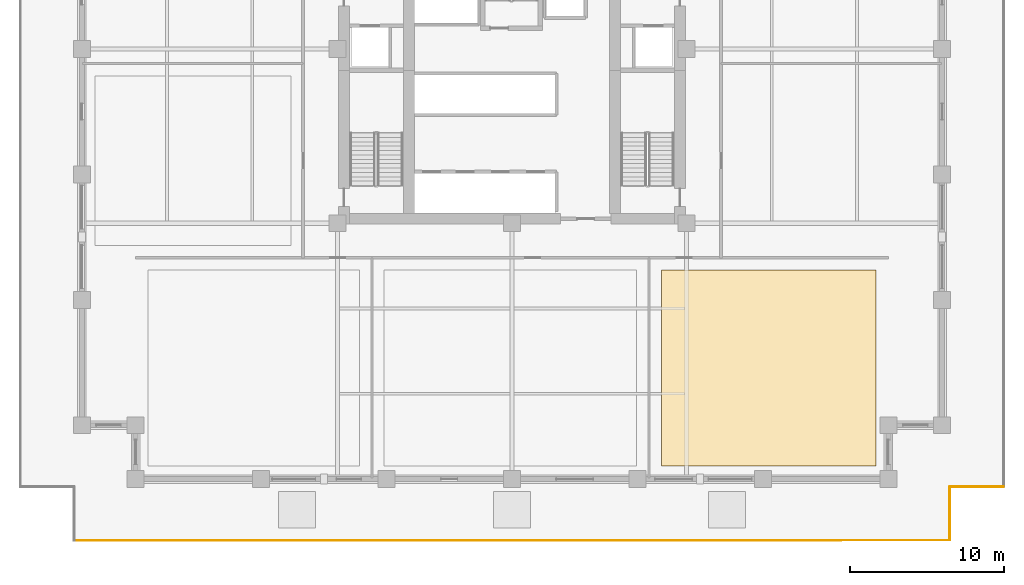
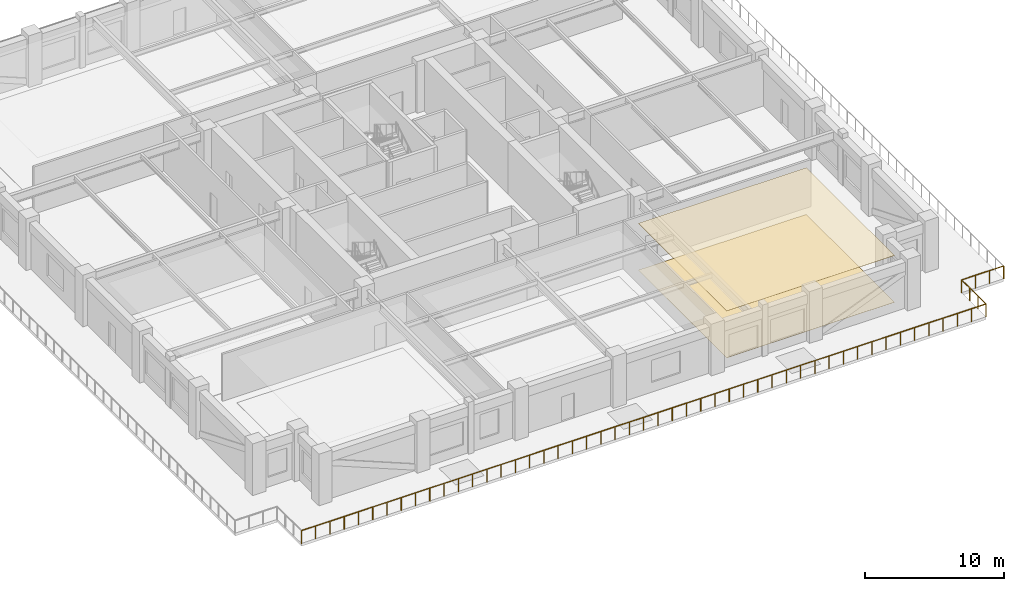
# One storey, part 9 of 13: 3 railings, 2 coverings.
"""IFC4 building model written with IfcOpenShell, lengths in metres."""

from ifc_helpers import new_model, si_unit, direction, frame, origin, origin_2d, place, context, subcontext, project, spatial, polyline, circle, outline, extrude, material, layer, layer_set, type_object, element, save


model = new_model("IFC4")

# Units and contexts
model_context = context("Model", 3, precision=1e-05, world=origin(), true_north=direction((0.0, 1.0)))
body_context = subcontext(model_context, "Body", "Model", "MODEL_VIEW")
ifc_project = project(units=[si_unit("LENGTHUNIT", "METRE"), si_unit("AREAUNIT", "SQUARE_METRE"), si_unit("VOLUMEUNIT", "CUBIC_METRE"), si_unit("PLANEANGLEUNIT", "RADIAN"), si_unit("MASSUNIT", "GRAM", prefix="KILO")], contexts=[model_context])

# Site, building, storey
site_placement = place(None, origin())
site = spatial("IfcSite", under=ifc_project, at=site_placement, CompositionType="ELEMENT")
building_placement = place(site_placement, origin())
building = spatial("IfcBuilding", under=site, at=building_placement, Name="Nhamokura Convention Tower", CompositionType="ELEMENT")
storey_placement = place(building_placement, frame((0.0, 0.0, 34.300048828125)))
storey = spatial("IfcBuildingStorey", under=building, at=storey_placement, Name="L06", CompositionType="ELEMENT", Elevation=34.300048828125)

# Covering
ifc_material_1 = material(Name="Mineral-fibre acoustic ceiling tile", Category="gypsum")
ifc_layer_1 = layer(ifc_material_1, 0.02490234375)
ifc_layer_set_1 = layer_set([ifc_layer_1], Name="AcousticTileCeiling_25")
covering_type_1 = type_object("IfcCoveringType", Name="AcousticTileCeiling_25", PredefinedType="CEILING", material=ifc_layer_set_1)
covering_1_placement = place(storey_placement, frame((0.0, 0.0, 4.10498046875)))
element("IfcCovering", 1, at=covering_1_placement, inside=storey, type_object=covering_type_1, Name="L06 Suspended Ceiling 03", PredefinedType="CEILING", context=body_context, shape_type="SweptSolid", body=[
    extrude(outline(polyline([(41.716796875, 4.860107421875), (55.699951171875, 4.860107421875), (55.699951171875, 17.60009765625), (41.716796875, 17.60009765625), (41.716796875, 4.860107421875)])), origin(), (0.0, 0.0, 1.0), 0.02490234375),
])

# Railings
ifc_material_2 = material(Name="Anodised bronze stainless steel", Category="steel")
railing_type = type_object("IfcRailingType", Name="TerraceGuardrail_1150", PredefinedType="GUARDRAIL", material=ifc_material_2)
railing_1_placement = place(storey_placement, frame((3.5, 0.0, 0.0)))
element("IfcRailing", 2, at=railing_1_placement, inside=storey, type_object=railing_type, Name="L06 Perimeter Guardrail 01", PredefinedType="GUARDRAIL", context=body_context, shape_type="SweptSolid", body=[
    extrude(circle(Radius=0.02392578125, at=origin_2d()), frame((0.0, 0.0, 1.1259765625), z_axis=(1.0, 0.0, 0.0), x_axis=(0.0, 1.0, 0.0)), (0.0, 0.0, 1.0), 57.0),
    extrude(circle(Radius=0.02099609375, at=origin_2d()), origin(), (0.0, 0.0, 1.0), 1.101806640625),
    extrude(circle(Radius=0.02099609375, at=origin_2d()), frame((1.1875, 0.0, 0.0)), (0.0, 0.0, 1.0), 1.101806640625),
    extrude(circle(Radius=0.02099609375, at=origin_2d()), frame((2.375, 0.0, 0.0)), (0.0, 0.0, 1.0), 1.101806640625),
    extrude(circle(Radius=0.02099609375, at=origin_2d()), frame((3.5625, 0.0, 0.0)), (0.0, 0.0, 1.0), 1.101806640625),
    extrude(circle(Radius=0.02099609375, at=origin_2d()), frame((4.75, 0.0, 0.0)), (0.0, 0.0, 1.0), 1.101806640625),
    extrude(circle(Radius=0.02099609375, at=origin_2d()), frame((5.9375, 0.0, 0.0)), (0.0, 0.0, 1.0), 1.101806640625),
    extrude(circle(Radius=0.02099609375, at=origin_2d()), frame((7.125, 0.0, 0.0)), (0.0, 0.0, 1.0), 1.101806640625),
    extrude(circle(Radius=0.02099609375, at=origin_2d()), frame((8.3125, 0.0, 0.0)), (0.0, 0.0, 1.0), 1.101806640625),
    extrude(circle(Radius=0.02099609375, at=origin_2d()), frame((9.5, 0.0, 0.0)), (0.0, 0.0, 1.0), 1.101806640625),
    extrude(circle(Radius=0.02099609375, at=origin_2d()), frame((10.6875, 0.0, 0.0)), (0.0, 0.0, 1.0), 1.101806640625),
    extrude(circle(Radius=0.02099609375, at=origin_2d()), frame((11.875, 0.0, 0.0)), (0.0, 0.0, 1.0), 1.101806640625),
    extrude(circle(Radius=0.02099609375, at=origin_2d()), frame((13.0625, 0.0, 0.0)), (0.0, 0.0, 1.0), 1.101806640625),
    extrude(circle(Radius=0.02099609375, at=origin_2d()), frame((14.25, 0.0, 0.0)), (0.0, 0.0, 1.0), 1.101806640625),
    extrude(circle(Radius=0.02099609375, at=origin_2d()), frame((15.4375, 0.0, 0.0)), (0.0, 0.0, 1.0), 1.101806640625),
    extrude(circle(Radius=0.02099609375, at=origin_2d()), frame((16.625, 0.0, 0.0)), (0.0, 0.0, 1.0), 1.101806640625),
    extrude(circle(Radius=0.02099609375, at=origin_2d()), frame((17.8125, 0.0, 0.0)), (0.0, 0.0, 1.0), 1.101806640625),
    extrude(circle(Radius=0.02099609375, at=origin_2d()), frame((19.0, 0.0, 0.0)), (0.0, 0.0, 1.0), 1.101806640625),
    extrude(circle(Radius=0.02099609375, at=origin_2d()), frame((20.1875, 0.0, 0.0)), (0.0, 0.0, 1.0), 1.101806640625),
    extrude(circle(Radius=0.02099609375, at=origin_2d()), frame((21.375, 0.0, 0.0)), (0.0, 0.0, 1.0), 1.101806640625),
    extrude(circle(Radius=0.02099609375, at=origin_2d()), frame((22.5625, 0.0, 0.0)), (0.0, 0.0, 1.0), 1.101806640625),
    extrude(circle(Radius=0.02099609375, at=origin_2d()), frame((23.75, 0.0, 0.0)), (0.0, 0.0, 1.0), 1.101806640625),
    extrude(circle(Radius=0.02099609375, at=origin_2d()), frame((24.9375, 0.0, 0.0)), (0.0, 0.0, 1.0), 1.101806640625),
    extrude(circle(Radius=0.02099609375, at=origin_2d()), frame((26.125, 0.0, 0.0)), (0.0, 0.0, 1.0), 1.101806640625),
    extrude(circle(Radius=0.02099609375, at=origin_2d()), frame((27.3125, 0.0, 0.0)), (0.0, 0.0, 1.0), 1.101806640625),
    extrude(circle(Radius=0.02099609375, at=origin_2d()), frame((28.5, 0.0, 0.0)), (0.0, 0.0, 1.0), 1.101806640625),
    extrude(circle(Radius=0.02099609375, at=origin_2d()), frame((29.6875, 0.0, 0.0)), (0.0, 0.0, 1.0), 1.101806640625),
    extrude(circle(Radius=0.02099609375, at=origin_2d()), frame((30.875, 0.0, 0.0)), (0.0, 0.0, 1.0), 1.101806640625),
    extrude(circle(Radius=0.02099609375, at=origin_2d()), frame((32.0625, 0.0, 0.0)), (0.0, 0.0, 1.0), 1.101806640625),
    extrude(circle(Radius=0.02099609375, at=origin_2d()), frame((33.25, 0.0, 0.0)), (0.0, 0.0, 1.0), 1.101806640625),
    extrude(circle(Radius=0.02099609375, at=origin_2d()), frame((34.4375, 0.0, 0.0)), (0.0, 0.0, 1.0), 1.101806640625),
    extrude(circle(Radius=0.02099609375, at=origin_2d()), frame((35.625, 0.0, 0.0)), (0.0, 0.0, 1.0), 1.101806640625),
    extrude(circle(Radius=0.02099609375, at=origin_2d()), frame((36.8125, 0.0, 0.0)), (0.0, 0.0, 1.0), 1.101806640625),
    extrude(circle(Radius=0.02099609375, at=origin_2d()), frame((38.0, 0.0, 0.0)), (0.0, 0.0, 1.0), 1.101806640625),
    extrude(circle(Radius=0.02099609375, at=origin_2d()), frame((39.1875, 0.0, 0.0)), (0.0, 0.0, 1.0), 1.101806640625),
    extrude(circle(Radius=0.02099609375, at=origin_2d()), frame((40.375, 0.0, 0.0)), (0.0, 0.0, 1.0), 1.101806640625),
    extrude(circle(Radius=0.02099609375, at=origin_2d()), frame((41.5625, 0.0, 0.0)), (0.0, 0.0, 1.0), 1.101806640625),
    extrude(circle(Radius=0.02099609375, at=origin_2d()), frame((42.75, 0.0, 0.0)), (0.0, 0.0, 1.0), 1.101806640625),
    extrude(circle(Radius=0.02099609375, at=origin_2d()), frame((43.9375, 0.0, 0.0)), (0.0, 0.0, 1.0), 1.101806640625),
    extrude(circle(Radius=0.02099609375, at=origin_2d()), frame((45.125, 0.0, 0.0)), (0.0, 0.0, 1.0), 1.101806640625),
    extrude(circle(Radius=0.02099609375, at=origin_2d()), frame((46.3125, 0.0, 0.0)), (0.0, 0.0, 1.0), 1.101806640625),
    extrude(circle(Radius=0.02099609375, at=origin_2d()), frame((47.5, 0.0, 0.0)), (0.0, 0.0, 1.0), 1.101806640625),
    extrude(circle(Radius=0.02099609375, at=origin_2d()), frame((48.6875, 0.0, 0.0)), (0.0, 0.0, 1.0), 1.101806640625),
    extrude(circle(Radius=0.02099609375, at=origin_2d()), frame((49.875, 0.0, 0.0)), (0.0, 0.0, 1.0), 1.101806640625),
    extrude(circle(Radius=0.02099609375, at=origin_2d()), frame((51.0625, 0.0, 0.0)), (0.0, 0.0, 1.0), 1.101806640625),
    extrude(circle(Radius=0.02099609375, at=origin_2d()), frame((52.25, 0.0, 0.0)), (0.0, 0.0, 1.0), 1.101806640625),
    extrude(circle(Radius=0.02099609375, at=origin_2d()), frame((53.4375, 0.0, 0.0)), (0.0, 0.0, 1.0), 1.101806640625),
    extrude(circle(Radius=0.02099609375, at=origin_2d()), frame((54.625, 0.0, 0.0)), (0.0, 0.0, 1.0), 1.101806640625),
    extrude(circle(Radius=0.02099609375, at=origin_2d()), frame((55.8125, 0.0, 0.0)), (0.0, 0.0, 1.0), 1.101806640625),
    extrude(circle(Radius=0.02099609375, at=origin_2d()), frame((57.0, 0.0, 0.0)), (0.0, 0.0, 1.0), 1.101806640625),
])
railing_2_placement = place(storey_placement, frame((60.5, 0.0, 0.0)))
element("IfcRailing", 3, at=railing_2_placement, inside=storey, type_object=railing_type, Name="L06 Perimeter Guardrail 02", PredefinedType="GUARDRAIL", context=body_context, shape_type="SweptSolid", body=[
    extrude(circle(Radius=0.02392578125, at=origin_2d()), frame((0.0, 0.0, 1.1259765625), z_axis=(0.0, 1.0, 0.0), x_axis=(-1.0, 0.0, 0.0)), (0.0, 0.0, 1.0), 3.5),
    extrude(circle(Radius=0.02099609375, at=origin_2d()), origin(), (0.0, 0.0, 1.0), 1.101806640625),
    extrude(circle(Radius=0.02099609375, at=origin_2d()), frame((0.0, 1.166748046875, 0.0)), (0.0, 0.0, 1.0), 1.101806640625),
    extrude(circle(Radius=0.02099609375, at=origin_2d()), frame((0.0, 2.333251953125, 0.0)), (0.0, 0.0, 1.0), 1.101806640625),
    extrude(circle(Radius=0.02099609375, at=origin_2d()), frame((0.0, 3.5, 0.0)), (0.0, 0.0, 1.0), 1.101806640625),
])
railing_3_placement = place(storey_placement, frame((60.5, 3.5, 0.0)))
element("IfcRailing", 4, at=railing_3_placement, inside=storey, type_object=railing_type, Name="L06 Perimeter Guardrail 03", PredefinedType="GUARDRAIL", context=body_context, shape_type="SweptSolid", body=[
    extrude(circle(Radius=0.02392578125, at=origin_2d()), frame((0.0, 0.0, 1.1259765625), z_axis=(1.0, 0.0, 0.0), x_axis=(0.0, 1.0, 0.0)), (0.0, 0.0, 1.0), 3.5),
    extrude(circle(Radius=0.02099609375, at=origin_2d()), origin(), (0.0, 0.0, 1.0), 1.101806640625),
    extrude(circle(Radius=0.02099609375, at=origin_2d()), frame((1.166748046875, 0.0, 0.0)), (0.0, 0.0, 1.0), 1.101806640625),
    extrude(circle(Radius=0.02099609375, at=origin_2d()), frame((2.333251953125, 0.0, 0.0)), (0.0, 0.0, 1.0), 1.101806640625),
    extrude(circle(Radius=0.02099609375, at=origin_2d()), frame((3.5, 0.0, 0.0)), (0.0, 0.0, 1.0), 1.101806640625),
])

# Covering
ifc_material_3 = material(Name="Acoustic woven hospitality carpet", Category="wood")
ifc_layer_2 = layer(ifc_material_3, 0.014892578125)
ifc_layer_set_2 = layer_set([ifc_layer_2], Name="WovenCarpetFlooring_15")
covering_type_2 = type_object("IfcCoveringType", Name="WovenCarpetFlooring_15", PredefinedType="FLOORING", material=ifc_layer_set_2)
covering_2_placement = place(storey_placement, origin())
element("IfcCovering", 5, at=covering_2_placement, inside=storey, type_object=covering_type_2, Name="L06 Finish Flooring 03", PredefinedType="FLOORING", context=body_context, shape_type="SweptSolid", body=[
    extrude(outline(polyline([(41.716796875, 4.860107421875), (55.699951171875, 4.860107421875), (55.699951171875, 17.60009765625), (41.716796875, 17.60009765625), (41.716796875, 4.860107421875)])), origin(), (0.0, 0.0, 1.0), 0.014892578125),
])

save(model, "model.ifc")
